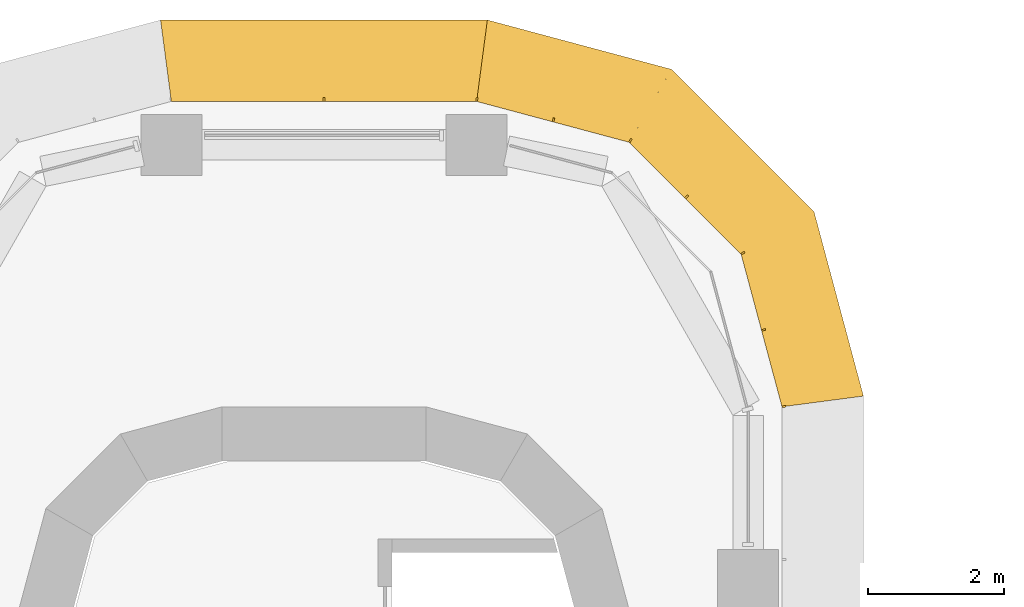
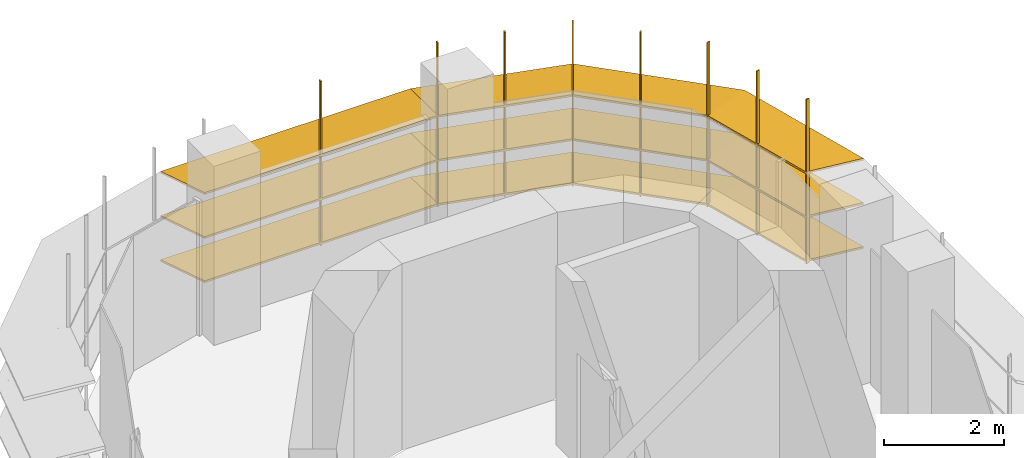
# One storey, part 23 of 23: 2 shading devices.
"""IFC4 building model written with IfcOpenShell, lengths in metres."""

import ifcopenshell
import ifcopenshell.guid

model = None  # the IFC model being written
_history = None  # IfcOwnerHistory: only IFC2X3 demands one
_inside = {}  # id of a spatial element -> (the spatial element, [elements in it])
_under = {}  # id of a project, library or spatial element -> (it, [spatial elements below it])
_declared = {}  # id of a project -> (the project, [libraries it declares])
_typed = {}  # id of a type object -> (the type object, [elements of that type])
_made_of = {}  # id of a material, layer set ... -> (it, [elements and type objects made of it])


def new_model(schema):
    """Start an empty IFC model of exactly this schema.

    Asked for "IFC4X3", IfcOpenShell would pick the latest addendum, in which some entities
    have other attributes; the version numbers below select the first issue.
    IFC2X3 requires an IfcOwnerHistory on every rooted entity: one is made here for all.
    """
    global model, _history
    if schema == "IFC4X3":
        model = ifcopenshell.file(schema_version=(4, 3, 0, 0))
    else:
        model = ifcopenshell.file(schema=schema)
    _inside.clear()
    _under.clear()
    _declared.clear()
    _typed.clear()
    _made_of.clear()
    _history = None
    if model.schema == "IFC2X3":
        org = make("IfcOrganization", Name="unknown")
        user = make(
            "IfcPersonAndOrganization",
            ThePerson=make("IfcPerson", FamilyName="unknown"),
            TheOrganization=org,
        )
        app = make(
            "IfcApplication",
            ApplicationDeveloper=org,
            Version="unknown",
            ApplicationFullName="unknown",
            ApplicationIdentifier="unknown",
        )
        _history = make(
            "IfcOwnerHistory",
            OwningUser=user,
            OwningApplication=app,
            ChangeAction="ADDED",
            CreationDate=0,
        )
    return model


def make(cls, **values):
    """One entity of the class cls with the attributes given. An attribute that is None is left unset."""
    return model.create_entity(
        cls, **{name: value for name, value in values.items() if value is not None}
    )


def rooted(cls, **values):
    """An entity with a GlobalId (a new one), such as an element, a storey or a relation."""
    return make(cls, GlobalId=ifcopenshell.guid.new(), OwnerHistory=_history, **values)


def si_unit(unit_type, name, prefix=None):
    """IfcSIUnit, for example si_unit("LENGTHUNIT", "METRE", prefix="MILLI")."""
    return make("IfcSIUnit", UnitType=unit_type, Prefix=prefix, Name=name)


def assignment(units):
    """IfcUnitAssignment: the units of a project."""
    return None if units is None else make("IfcUnitAssignment", Units=units)


def point(xyz):
    """IfcCartesianPoint."""
    return None if xyz is None else make("IfcCartesianPoint", Coordinates=xyz)


def direction(xyz):
    """IfcDirection."""
    return None if xyz is None else make("IfcDirection", DirectionRatios=xyz)


def frame(location, z_axis=None, x_axis=None):
    """IfcAxis2Placement3D, a coordinate frame: its origin and axes. An axis left out is left unset."""
    return make(
        "IfcAxis2Placement3D",
        Location=point(location),
        Axis=direction(z_axis),
        RefDirection=direction(x_axis),
    )


def origin():
    """The frame at (0, 0, 0) with its axes left unset."""
    return frame((0.0, 0.0, 0.0))


def place(relative_to, where):
    """IfcLocalPlacement: puts the frame where relative to a parent placement (None: the world)."""
    return make(
        "IfcLocalPlacement", PlacementRelTo=relative_to, RelativePlacement=where
    )


def context(
    kind, dimensions, precision=None, world=None, true_north=None, identifier=None
):
    """IfcGeometricRepresentationContext, for example the 3D "Model" context."""
    return make(
        "IfcGeometricRepresentationContext",
        ContextIdentifier=identifier,
        ContextType=kind,
        CoordinateSpaceDimension=dimensions,
        Precision=precision,
        WorldCoordinateSystem=world,
        TrueNorth=true_north,
    )


def subcontext(parent, identifier, kind, view, scale=None):
    """IfcGeometricRepresentationSubContext, for example "Body" below "Model"."""
    return make(
        "IfcGeometricRepresentationSubContext",
        ContextIdentifier=identifier,
        ContextType=kind,
        ParentContext=parent,
        TargetScale=scale,
        TargetView=view,
    )


def project(units=None, contexts=None):
    """IfcProject with its units and contexts."""
    return rooted(
        "IfcProject",
        Name="project",
        RepresentationContexts=contexts,
        UnitsInContext=assignment(units),
    )


def spatial(cls, under=None, at=None, **own):
    """A site, building, storey or space (cls), placed at a placement, below another one or the project."""
    s = rooted(cls, ObjectPlacement=at, **own)
    if under is not None:
        _under.setdefault(under.id(), (under, []))[1].append(s)
    return s


def polyline(points):
    """IfcPolyline through the points."""
    return make("IfcPolyline", Points=[point(p) for p in points])


def outline(outer, holes=None, kind="AREA"):
    """IfcArbitraryClosedProfileDef: a profile drawn as a closed curve; with holes, ...WithVoids."""
    if holes is None:
        return make("IfcArbitraryClosedProfileDef", ProfileType=kind, OuterCurve=outer)
    return make(
        "IfcArbitraryProfileDefWithVoids",
        ProfileType=kind,
        OuterCurve=outer,
        InnerCurves=holes,
    )


def extrude(swept, where, along, depth):
    """IfcExtrudedAreaSolid: the profile swept, set in the frame where, extruded along a direction by depth."""
    return make(
        "IfcExtrudedAreaSolid",
        SweptArea=swept,
        Position=where,
        ExtrudedDirection=direction(along),
        Depth=depth,
    )


def faces_of(points, faces, orient=None, outer=None):
    """IfcFace entities. A face is a list of loops; a loop is a list of indices into points, from 0.

    orient and outer hold one flag for each loop. By default every Orientation is true, the
    first loop of a face is its IfcFaceOuterBound and the others are IfcFaceBound.
    """
    made = []
    for i, loops in enumerate(faces):
        bounds = []
        for j, loop in enumerate(loops):
            is_outer = j == 0 if outer is None else outer[i][j]
            bounds.append(
                make(
                    "IfcFaceOuterBound" if is_outer else "IfcFaceBound",
                    Bound=make("IfcPolyLoop", Polygon=[points[k] for k in loop]),
                    Orientation=True if orient is None else orient[i][j],
                )
            )
        made.append(make("IfcFace", Bounds=bounds))
    return made


def faceted_brep(points, faces, orient=None, outer=None, voids=None):
    """IfcFacetedBrep: a solid bounded by flat faces; with voids (closed shells), ...WithVoids."""
    shared = [point(p) for p in points]
    hull = make("IfcClosedShell", CfsFaces=faces_of(shared, faces, orient, outer))
    if voids is None:
        return make("IfcFacetedBrep", Outer=hull)
    return make(
        "IfcFacetedBrepWithVoids",
        Outer=hull,
        Voids=[
            make(cls, CfsFaces=faces_of(shared, fs, o, b)) for cls, fs, o, b in voids
        ],
    )


def shape(context_of_items, identifier, shape_type, items):
    """IfcShapeRepresentation: the items that make up one representation, for example the "Body"."""
    return make(
        "IfcShapeRepresentation",
        ContextOfItems=context_of_items,
        RepresentationIdentifier=identifier,
        RepresentationType=shape_type,
        Items=items,
    )


def source(mapping_origin, context_of_items, identifier, shape_type, items):
    """IfcRepresentationMap: a shape defined once, which mapped items show again and again."""
    return make(
        "IfcRepresentationMap",
        MappingOrigin=mapping_origin,
        MappedRepresentation=shape(context_of_items, identifier, shape_type, items),
    )


def transform(
    local_origin,
    x_axis=None,
    y_axis=None,
    z_axis=None,
    scale=None,
    scale2=None,
    scale3=None,
    uniform=True,
):
    """IfcCartesianTransformationOperator3D, or its non-uniform kind. x_axis, y_axis, z_axis: its Axis1, 2, 3."""
    if uniform:
        return make(
            "IfcCartesianTransformationOperator3D",
            Axis1=direction(x_axis),
            Axis2=direction(y_axis),
            LocalOrigin=point(local_origin),
            Scale=scale,
            Axis3=direction(z_axis),
        )
    return make(
        "IfcCartesianTransformationOperator3DnonUniform",
        Axis1=direction(x_axis),
        Axis2=direction(y_axis),
        LocalOrigin=point(local_origin),
        Scale=scale,
        Axis3=direction(z_axis),
        Scale2=scale2,
        Scale3=scale3,
    )


def mapped(mapping_source, mapping_target):
    """IfcMappedItem: shows the shape of a source again, moved by a transform."""
    return make(
        "IfcMappedItem", MappingSource=mapping_source, MappingTarget=mapping_target
    )


def material(Name=None, Category=None):
    """IfcMaterial."""
    return make("IfcMaterial", Name=Name, Category=Category)


def made_of(thing, what):
    """Note that an element or type object is made of a material, layer set ...; save() writes the relation."""
    if what is not None:
        _made_of.setdefault(what.id(), (what, []))[1].append(thing)
    return thing


def type_object(cls, material=None, **own):
    """A type object (cls), such as IfcWallType, which elements share."""
    return made_of(rooted(cls, **own), material)


def element(
    cls,
    number,
    at=None,
    inside=None,
    cuts=None,
    type_object=None,
    material=None,
    context=None,
    identifier="Body",
    shape_type=None,
    held_by="IfcProductDefinitionShape",
    body=None,
    shapes=None,
    **own,
):
    """One element of the class cls, such as IfcWall. Its Tag is "e" and its number.

    at: its placement. inside: the storey or other place that contains it. cuts: it is an
    opening in that element (IfcRelVoidsElement). A single representation is given by context,
    identifier, shape_type and body (its items); several are given by shapes. held_by: the class
    of the entity that holds the representations. save() writes the other relations.
    """
    e = rooted(cls, Tag="e%d" % number, ObjectPlacement=at, **own)
    if body is not None:
        shapes = [shape(context, identifier, shape_type, body)]
    if shapes is not None:
        e.Representation = make(held_by, Representations=shapes)
    if inside is not None:
        _inside.setdefault(inside.id(), (inside, []))[1].append(e)
    if cuts is not None:
        rooted(
            "IfcRelVoidsElement", RelatingBuildingElement=cuts, RelatedOpeningElement=e
        )
    if type_object is not None:
        _typed.setdefault(type_object.id(), (type_object, []))[1].append(e)
    return made_of(e, material)


def aggregate(whole, parts):
    """IfcRelAggregates: a whole, such as a stair, and the parts it consists of."""
    return rooted("IfcRelAggregates", RelatingObject=whole, RelatedObjects=parts)


def save(model, path):
    """Write the relations noted so far, then the file.

    IfcRelAggregates (storeys below a building ...), IfcRelContainedInSpatialStructure (elements
    in a storey), IfcRelDefinesByType, IfcRelAssociatesMaterial and IfcRelDeclares: one each for
    every whole, place, type object, material and project.
    """
    for whole, parts in _under.values():
        aggregate(whole, parts)
    for where, things in _inside.values():
        rooted(
            "IfcRelContainedInSpatialStructure",
            RelatedElements=things,
            RelatingStructure=where,
        )
    for kind, things in _typed.values():
        rooted("IfcRelDefinesByType", RelatedObjects=things, RelatingType=kind)
    for what, things in _made_of.values():
        rooted("IfcRelAssociatesMaterial", RelatedObjects=things, RelatingMaterial=what)
    for by, libraries in _declared.values():
        rooted("IfcRelDeclares", RelatingContext=by, RelatedDefinitions=libraries)
    model.write(path)


model = new_model("IFC4")

# Units and contexts
model_context = context("Model", 3, precision=1e-05, world=origin(), true_north=direction((0.0, 1.0)))
body_context = subcontext(model_context, "Body", "Model", "MODEL_VIEW")
ifc_project = project(units=[si_unit("LENGTHUNIT", "METRE"), si_unit("AREAUNIT", "SQUARE_METRE"), si_unit("VOLUMEUNIT", "CUBIC_METRE"), si_unit("PLANEANGLEUNIT", "RADIAN"), si_unit("MASSUNIT", "GRAM", prefix="KILO")], contexts=[model_context])

# Site, building, storey
site_placement = place(None, origin())
site = spatial("IfcSite", under=ifc_project, at=site_placement, CompositionType="ELEMENT")
building_placement = place(site_placement, origin())
building = spatial("IfcBuilding", under=site, at=building_placement, Name="Zarbagh Exchange Tower", CompositionType="ELEMENT")
storey_placement = place(building_placement, frame((0.0, 0.0, 90.39990234375)))
storey = spatial("IfcBuildingStorey", under=building, at=storey_placement, Name="L20", CompositionType="ELEMENT", Elevation=90.39990234375)

# Shading devices
ifc_material = material(Name="Anodised aluminium blades and brackets", Category="aluminium")
shading_device_type = type_object("IfcShadingDeviceType", Name="SUNSHADE louvre band, 11.25 degree blades", PredefinedType="JALOUSIE", material=ifc_material)
shared_shape_1 = source(origin(), body_context, "Body", "Brep", [
    faceted_brep([(0.0, 0.0, 0.0), (0.0, 0.0, -0.040771484375), (-0.157958984375, -1.199951171875, -0.279541015625), (-0.157958984375, -1.199951171875, -0.23876953125), (2.65087890625, -1.199951171875, -0.23876953125), (2.65087890625, -1.199951171875, -0.279541015625), (2.329345703125, 0.0, -0.040771484375), (2.329345703125, 0.0, 0.0)], [[[0, 1, 2, 3]], [[4, 5, 6, 7]], [[0, 7, 6, 1]], [[1, 6, 5, 2]], [[2, 5, 4, 3]], [[3, 4, 7, 0]]]),
])
shared_shape_2 = source(origin(), body_context, "Body", "Brep", [
    faceted_brep([(0.0, 0.0, 0.0), (0.0, 0.0, -0.040771484375), (-0.321533203125, -1.199951171875, -0.279541015625), (-0.321533203125, -1.199951171875, -0.23876953125), (2.65087890625, -1.199951171875, -0.23876953125), (2.65087890625, -1.199951171875, -0.279541015625), (2.329345703125, 0.0, -0.040771484375), (2.329345703125, 0.0, 0.0)], [[[0, 1, 2, 3]], [[4, 5, 6, 7]], [[0, 7, 6, 1]], [[1, 6, 5, 2]], [[2, 5, 4, 3]], [[3, 4, 7, 0]]]),
])
shared_shape_3 = source(origin(), body_context, "Body", "Brep", [
    faceted_brep([(0.0, 0.0, 0.0), (0.0, 0.0, -0.040771484375), (-0.321533203125, -1.199951171875, -0.279541015625), (-0.321533203125, -1.199951171875, -0.23876953125), (2.4873046875, -1.199951171875, -0.23876953125), (2.4873046875, -1.199951171875, -0.279541015625), (2.329345703125, 0.0, -0.040771484375), (2.329345703125, 0.0, 0.0)], [[[0, 1, 2, 3]], [[4, 5, 6, 7]], [[0, 7, 6, 1]], [[1, 6, 5, 2]], [[2, 5, 4, 3]], [[3, 4, 7, 0]]]),
])
shared_shape_4 = source(origin(), body_context, "Body", "SweptSolid", [
    extrude(outline(polyline([(0.0, -0.012451171875), (0.06005859375, -0.012451171875), (0.06005859375, 0.012451171875), (0.0, 0.012451171875), (0.0, -0.012451171875)])), origin(), (0.0, 0.0, 1.0), 3.350830078125),
])
placement = place(storey_placement, origin())
element("IfcShadingDevice", 1, at=placement, inside=storey, type_object=shading_device_type, Name="SS11 sunshade band", PredefinedType="JALOUSIE", context=body_context, shape_type="MappedRepresentation", body=[
    mapped(shared_shape_1, transform((6.75, 29.25, 2.300048828125), x_axis=(-0.258824779902, 0.965924289636, 0.0), y_axis=(-0.965924289636, -0.258824779902, 0.0), z_axis=(0.0, 0.0, 1.0))),
    mapped(shared_shape_1, transform((6.75, 29.25, 1.400146484375), x_axis=(-0.258824779902, 0.965924289636, 0.0), y_axis=(-0.965924289636, -0.258824779902, 0.0), z_axis=(0.0, 0.0, 1.0))),
    mapped(shared_shape_1, transform((6.75, 29.25, 0.5), x_axis=(-0.258824779902, 0.965924289636, 0.0), y_axis=(-0.965924289636, -0.258824779902, 0.0), z_axis=(0.0, 0.0, 1.0))),
    mapped(shared_shape_2, transform((6.147216796875, 31.5, 2.300048828125), x_axis=(-0.707106781187, 0.707106781187, 0.0), y_axis=(-0.707106781187, -0.707106781187, 0.0), z_axis=(0.0, 0.0, 1.0))),
    mapped(shared_shape_2, transform((6.147216796875, 31.5, 1.400146484375), x_axis=(-0.707106781187, 0.707106781187, 0.0), y_axis=(-0.707106781187, -0.707106781187, 0.0), z_axis=(0.0, 0.0, 1.0))),
    mapped(shared_shape_2, transform((6.147216796875, 31.5, 0.5), x_axis=(-0.707106781187, 0.707106781187, 0.0), y_axis=(-0.707106781187, -0.707106781187, 0.0), z_axis=(0.0, 0.0, 1.0))),
    mapped(shared_shape_3, transform((4.5, 33.147216796875, 2.300048828125), x_axis=(-0.965924289636, 0.258824779902, 0.0), y_axis=(-0.258824779902, -0.965924289636, 0.0), z_axis=(0.0, 0.0, 1.0))),
    mapped(shared_shape_3, transform((4.5, 33.147216796875, 1.400146484375), x_axis=(-0.965924289636, 0.258824779902, 0.0), y_axis=(-0.258824779902, -0.965924289636, 0.0), z_axis=(0.0, 0.0, 1.0))),
    mapped(shared_shape_3, transform((4.5, 33.147216796875, 0.5), x_axis=(-0.965924289636, 0.258824779902, 0.0), y_axis=(-0.258824779902, -0.965924289636, 0.0), z_axis=(0.0, 0.0, 1.0))),
    mapped(shared_shape_4, transform((6.75, 29.25, 0.42919921875), x_axis=(0.991444457092, 0.130529263012, 0.0), y_axis=(-0.130529263012, 0.991444457092, 0.0), z_axis=(0.0, 0.0, 1.0))),
    mapped(shared_shape_4, transform((6.448486328125, 30.375, 0.42919921875), x_axis=(0.96592421511, 0.258825058029, 0.0), y_axis=(-0.258825058029, 0.96592421511, 0.0), z_axis=(0.0, 0.0, 1.0))),
    mapped(shared_shape_4, transform((6.147216796875, 31.5, 0.42919921875), x_axis=(0.866023812018, 0.50000275701, 0.0), y_axis=(-0.50000275701, 0.866023812018, 0.0), z_axis=(0.0, 0.0, 1.0))),
    mapped(shared_shape_4, transform((5.323486328125, 32.323486328125, 0.42919921875), x_axis=(0.707106781187, 0.707106781187, 0.0), y_axis=(-0.707106781187, 0.707106781187, 0.0), z_axis=(0.0, 0.0, 1.0))),
    mapped(shared_shape_4, transform((4.5, 33.147216796875, 0.42919921875), x_axis=(0.50000275701, 0.866023812018, 0.0), y_axis=(-0.866023812018, 0.50000275701, 0.0), z_axis=(0.0, 0.0, 1.0))),
    mapped(shared_shape_4, transform((3.375, 33.448486328125, 0.42919921875), x_axis=(0.258825058029, 0.96592421511, 0.0), y_axis=(-0.96592421511, 0.258825058029, 0.0), z_axis=(0.0, 0.0, 1.0))),
])
shared_shape_5 = source(origin(), body_context, "Body", "Brep", [
    faceted_brep([(0.0, 0.0, 0.0), (0.0, 0.0, -0.040771484375), (-0.157958984375, -1.199951171875, -0.279541015625), (-0.157958984375, -1.199951171875, -0.23876953125), (4.657958984375, -1.199951171875, -0.23876953125), (4.657958984375, -1.199951171875, -0.279541015625), (4.5, 0.0, -0.040771484375), (4.5, 0.0, 0.0)], [[[0, 1, 2, 3]], [[4, 5, 6, 7]], [[0, 7, 6, 1]], [[1, 6, 5, 2]], [[2, 5, 4, 3]], [[3, 4, 7, 0]]]),
])
element("IfcShadingDevice", 2, at=placement, inside=storey, type_object=shading_device_type, Name="SS12 sunshade band", PredefinedType="JALOUSIE", context=body_context, shape_type="MappedRepresentation", body=[
    mapped(shared_shape_5, transform((2.25, 33.75, 2.300048828125), x_axis=(-1.0, 0.0, 0.0), y_axis=(0.0, -1.0, 0.0), z_axis=(0.0, 0.0, 1.0))),
    mapped(shared_shape_5, transform((2.25, 33.75, 1.400146484375), x_axis=(-1.0, 0.0, 0.0), y_axis=(0.0, -1.0, 0.0), z_axis=(0.0, 0.0, 1.0))),
    mapped(shared_shape_5, transform((2.25, 33.75, 0.5), x_axis=(-1.0, 0.0, 0.0), y_axis=(0.0, -1.0, 0.0), z_axis=(0.0, 0.0, 1.0))),
    mapped(shared_shape_4, transform((2.25, 33.75, 0.42919921875), x_axis=(0.130529263012, 0.991444457092, 0.0), y_axis=(-0.991444457092, 0.130529263012, 0.0), z_axis=(0.0, 0.0, 1.0))),
    mapped(shared_shape_4, transform((0.0, 33.75, 0.42919921875), x_axis=(0.0, 1.0, 0.0), y_axis=(-1.0, 0.0, 0.0), z_axis=(0.0, 0.0, 1.0))),
])

save(model, "model.ifc")
